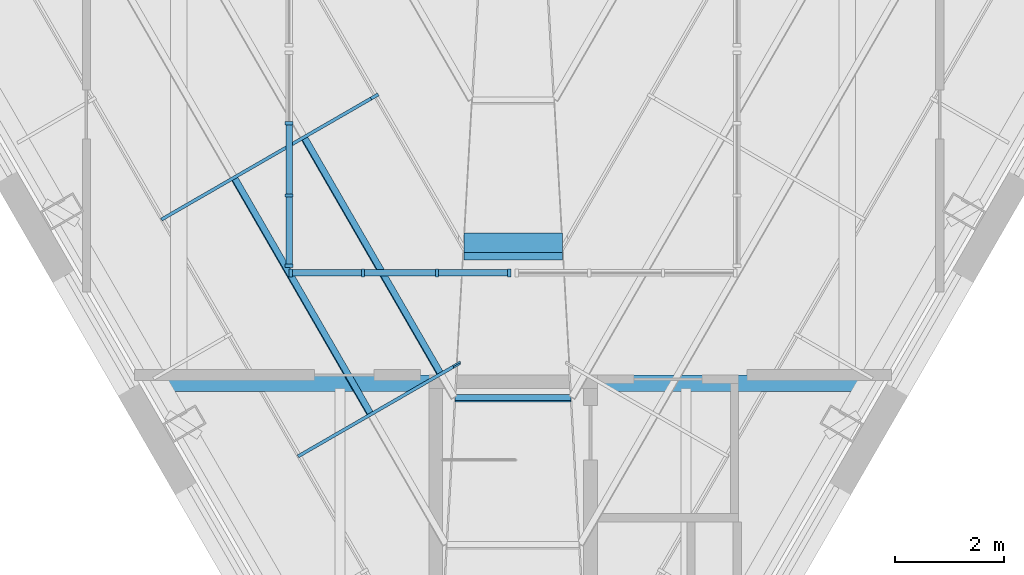
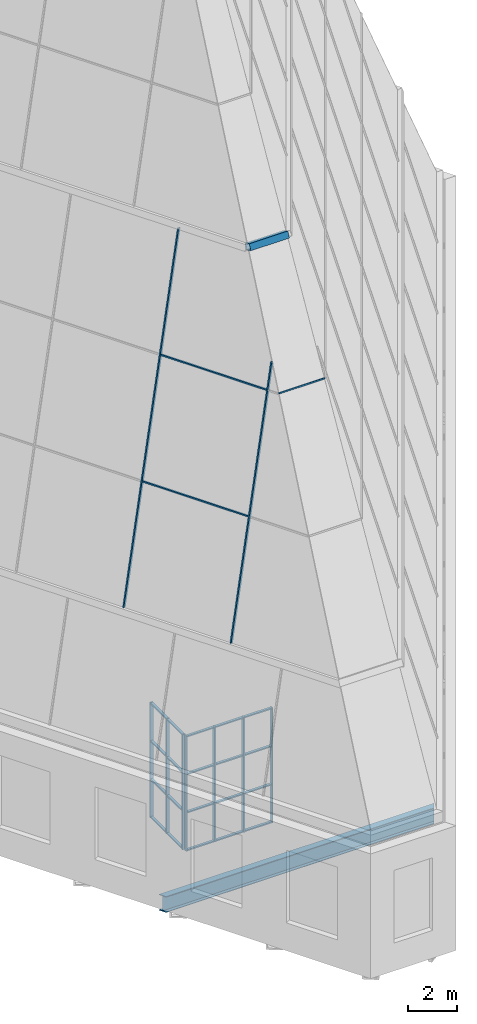
# One storey, part 3 of 36: 33 members, 1 beam, 4 elements without a shape of their own.
"""IFC4 building model written with IfcOpenShell, lengths in metres."""

from ifc_helpers import new_model, si_unit, direction, frame, origin, origin_2d, place, context, subcontext, project, spatial, rectangle, hollow_rectangle, i_section, extrude, clip, halfspace, material, layer, layer_set, material_profile, profile_set, type_object, element, aggregate, save


model = new_model("IFC4")

# Units and contexts
model_context = context("Model", 3, precision=1e-05, world=origin(), true_north=direction((0.0, 1.0)))
body_context = subcontext(model_context, "Body", "Model", "MODEL_VIEW")
ifc_project = project(units=[si_unit("LENGTHUNIT", "METRE"), si_unit("AREAUNIT", "SQUARE_METRE"), si_unit("VOLUMEUNIT", "CUBIC_METRE"), si_unit("PLANEANGLEUNIT", "RADIAN"), si_unit("MASSUNIT", "GRAM", prefix="KILO")], contexts=[model_context])

# Site, building, storey
site_placement = place(None, origin())
site = spatial("IfcSite", under=ifc_project, at=site_placement, CompositionType="ELEMENT")
building_placement = place(site_placement, origin())
building = spatial("IfcBuilding", under=site, at=building_placement, Name="Njiva Tower", CompositionType="ELEMENT")
storey_placement = place(building_placement, frame((0.0, 0.0, 337.8)))
storey = spatial("IfcBuildingStorey", under=building, at=storey_placement, Name="L77", CompositionType="ELEMENT", Elevation=337.8)

# Beam
ifc_material_1 = material(Name="Steel S355 J2", Category="steel")
ifc_material_profile_1 = material_profile(ifc_material_1, i_section(OverallWidth=0.3, OverallDepth=0.79, WebThickness=0.015, FlangeThickness=0.028, at=origin_2d()), Name="HEA 800")
ifc_profile_set_1 = profile_set([ifc_material_profile_1], Name="Steel S355 J2")
beam_type = type_object("IfcBeamType", Name="B9 Long-span atrium trimmer beam HEA 800", PredefinedType="BEAM", material=ifc_profile_set_1)
beam_placement = place(storey_placement, frame((-6.467, -13.75, -0.595), z_axis=(1.0, 0.0, 0.0), x_axis=(0.0, 1.0, 0.0)))
element("IfcBeam", 1, at=beam_placement, inside=storey, type_object=beam_type, Name="Long-span atrium trimmer beam CR-B050", PredefinedType="BEAM", context=body_context, shape_type="Clipping", body=[
    clip(clip(extrude(i_section(OverallWidth=0.3, OverallDepth=0.79, WebThickness=0.015, FlangeThickness=0.028, at=origin_2d()), origin(), (0.0, 0.0, 1.0), 12.934), halfspace(frame((-0.025, 0.0, 0.1217), z_axis=(-0.499998009787, 0.0, -0.866026552831), x_axis=(0.0, -1.0, 0.0)), False)), halfspace(frame((-0.025, 0.0, 12.8123), z_axis=(-0.499998009787, 0.0, 0.866026552831), x_axis=(0.0, 1.0, 0.0)), False)),
])

# Curtain wall, members
ifc_material_2 = material(Name="Glazed curtain wall", Category="glass")
ifc_layer_1 = layer(ifc_material_2, 0.16)
ifc_layer_set_1 = layer_set([ifc_layer_1], Name="Glazed curtain wall")
curtain_wall_type_1 = type_object("IfcCurtainWallType", Name="CW2 Crown glazing, faceted point, long faces", PredefinedType="NOTDEFINED", material=ifc_layer_set_1)
curtain_wall_1_placement = place(storey_placement, origin())
curtain_wall_1 = element("IfcCurtainWall", 2, at=curtain_wall_1_placement, inside=storey, type_object=curtain_wall_type_1, Name="Crown glazing face SW tier 2", PredefinedType="NOTDEFINED")
ifc_material_3 = material(Name="Aluminium mullion", Category="aluminium")
ifc_material_profile_2 = material_profile(ifc_material_3, rectangle(XDim=0.16, YDim=0.06, at=origin_2d()), Name="RECT 160x60")
ifc_profile_set_2 = profile_set([ifc_material_profile_2], Name="Aluminium mullion")
member_type_1 = type_object("IfcMemberType", Name="CW2-M Crown glazing mullion 160x60", PredefinedType="MULLION", material=ifc_profile_set_2)
member_1_placement = place(storey_placement, frame((-6.4025, -10.7001, 12.2446), z_axis=(0.230733296083, 0.133215917854, 0.963854587222), x_axis=(-0.834719445041, -0.481932685527, 0.26642885484)))
member_1 = element("IfcMember", 3, at=member_1_placement, type_object=member_type_1, Name="CW2-32 mullion 6", PredefinedType="MULLION", context=body_context, shape_type="Clipping", body=[
    clip(clip(extrude(rectangle(XDim=0.16, YDim=0.06, at=origin_2d()), origin(), (0.0, 0.0, 1.0), 16.715), halfspace(frame((0.08, 0.0, 0.0), z_axis=(-3.85188e-07, -1.720788e-06, -0.999999999998), x_axis=(0.0, -0.999999999999, 1.720788e-06)), False)), halfspace(frame((0.08, 0.0, 16.715), z_axis=(3.85188e-07, 1.720788e-06, 0.999999999998), x_axis=(0.0, 0.999999999999, -1.720788e-06)), False)),
])
member_2_placement = place(storey_placement, frame((-3.8877, -15.0558, 12.2446), z_axis=(0.230734655493, 0.133217374048, 0.963854060533), x_axis=(-0.834717937281, -0.481934243634, 0.266430760225)))
member_2 = element("IfcMember", 4, at=member_2_placement, type_object=member_type_1, Name="CW2-32 mullion 7", PredefinedType="MULLION", context=body_context, shape_type="Clipping", body=[
    clip(clip(extrude(rectangle(XDim=0.16, YDim=0.06, at=origin_2d()), origin(), (0.0, 0.0, 1.0), 12.3865), halfspace(frame((0.08, 0.0, 0.0), z_axis=(-2.362031e-06, -2.302167e-06, -0.999999999995), x_axis=(0.0, -0.999999999997, 2.302167e-06)), False)), halfspace(frame((0.08, 0.0, 12.3865), z_axis=(8.605755e-06, 0.926533268814, 0.376212840966), x_axis=(0.0, 0.37621284098, -0.926533268848)), False)),
])
ifc_material_4 = material(Name="Aluminium transom", Category="aluminium")
ifc_material_profile_3 = material_profile(ifc_material_4, rectangle(XDim=0.12, YDim=0.06, at=origin_2d()), Name="RECT 120x60")
ifc_profile_set_3 = profile_set([ifc_material_profile_3], Name="Aluminium transom")
member_type_2 = type_object("IfcMemberType", Name="CW2-T Crown glazing transom 120x60", PredefinedType="USERDEFINED", material=ifc_profile_set_3)
member_3_placement = place(storey_placement, frame((-5.1186, -9.9935, 17.6202), z_axis=(0.500008699995, -0.866020380782, 0.0), x_axis=(-0.834717805426, -0.4819357304, 0.266428483965)))
member_3 = element("IfcMember", 5, at=member_3_placement, type_object=member_type_2, Name="CW2-32 transom 7.1", ObjectType="TRANSOM", PredefinedType="USERDEFINED", context=body_context, shape_type="SweptSolid", body=[
    extrude(rectangle(XDim=0.12, YDim=0.06, at=origin_2d()), origin(), (0.0, 0.0, 1.0), 4.9695),
])
member_4_placement = place(storey_placement, frame((-3.833, -9.2513, 22.9905), z_axis=(0.499993607921, -0.866029094221, 0.0), x_axis=(-0.834726203916, -0.481921183835, 0.266428483965)))
member_4 = element("IfcMember", 6, at=member_4_placement, type_object=member_type_2, Name="CW2-32 transom 7.2", ObjectType="TRANSOM", PredefinedType="USERDEFINED", context=body_context, shape_type="SweptSolid", body=[
    extrude(rectangle(XDim=0.12, YDim=0.06, at=origin_2d()), origin(), (0.0, 0.0, 1.0), 4.9695),
])
aggregate(curtain_wall_1, [member_1, member_2, member_3, member_4])

ifc_layer_2 = layer(ifc_material_2, 0.16)
ifc_layer_set_2 = layer_set([ifc_layer_2], Name="Glazed curtain wall")
curtain_wall_type_2 = type_object("IfcCurtainWallType", Name="CW3 Crown glazing, faceted point, corner faces", PredefinedType="NOTDEFINED", material=ifc_layer_set_2)
curtain_wall_2_placement = place(storey_placement, origin())
curtain_wall_2 = element("IfcCurtainWall", 7, at=curtain_wall_2_placement, inside=storey, type_object=curtain_wall_type_2, Name="Crown glazing face S tier 2", PredefinedType="NOTDEFINED")
ifc_material_5 = material(Name="Steel S355 J2H", Category="steel")
ifc_material_profile_4 = material_profile(ifc_material_5, hollow_rectangle(XDim=0.3, YDim=0.4, WallThickness=0.016, at=origin_2d()), Name="BOX 400x300x16")
ifc_profile_set_4 = profile_set([ifc_material_profile_4], Name="Steel S355 J2H")
member_type_3 = type_object("IfcMemberType", Name="CW3-R Crown corner glazing ring RHS 400x300x16", PredefinedType="USERDEFINED", material=ifc_profile_set_4)
member_5_placement = place(storey_placement, frame((-0.9056, -11.2343, 28.5), z_axis=(1.0, 0.0, 0.0), x_axis=(0.0, 0.449387179101, 0.893337093856)))
member_5 = element("IfcMember", 8, at=member_5_placement, type_object=member_type_3, Name="Crown glazing ring", ObjectType="RING", PredefinedType="USERDEFINED", context=body_context, shape_type="SweptSolid", body=[
    extrude(hollow_rectangle(XDim=0.3, YDim=0.4, WallThickness=0.016, at=origin_2d()), origin(), (0.0, 0.0, 1.0), 1.8112),
])
ifc_material_profile_5 = material_profile(ifc_material_4, rectangle(XDim=0.12, YDim=0.06, at=origin_2d()), Name="RECT 120x60")
ifc_profile_set_5 = profile_set([ifc_material_profile_5], Name="Aluminium transom")
member_type_4 = type_object("IfcMemberType", Name="CW3-T Crown corner glazing transom 120x60", PredefinedType="USERDEFINED", material=ifc_profile_set_5)
member_6_placement = place(storey_placement, frame((-1.0641, -14.0246, 22.9977), z_axis=(1.0, 0.0, 0.0), x_axis=(0.0, -0.893337093848, 0.449387179117)))
member_6 = element("IfcMember", 9, at=member_6_placement, type_object=member_type_4, Name="CW3-42 transom 1.2", ObjectType="TRANSOM", PredefinedType="USERDEFINED", context=body_context, shape_type="Clipping", body=[
    clip(clip(extrude(rectangle(XDim=0.12, YDim=0.06, at=origin_2d()), origin(), (0.0, 0.0, 1.0), 2.1282), halfspace(frame((0.06, 0.0001, 0.0), z_axis=(5.16e-10, -0.025674887923, -0.999670345729), x_axis=(0.0, -0.999670345729, 0.025674887923)), False)), halfspace(frame((0.06, 0.0001, 2.1282), z_axis=(5.16e-10, -0.025674887923, 0.999670345729), x_axis=(0.0, 0.999670345729, 0.025674887923)), False)),
])
aggregate(curtain_wall_2, [member_6, member_5])

ifc_layer_3 = layer(ifc_material_2, 0.2)
ifc_layer_set_3 = layer_set([ifc_layer_3], Name="Glazed curtain wall")
curtain_wall_type_3 = type_object("IfcCurtainWallType", Name="CW5 Atrium lantern glazing", PredefinedType="NOTDEFINED", material=ifc_layer_set_3)
curtain_wall_3_placement = place(storey_placement, origin())
curtain_wall_3 = element("IfcCurtainWall", 10, at=curtain_wall_3_placement, inside=storey, type_object=curtain_wall_type_3, Name="Atrium lantern south 1", PredefinedType="NOTDEFINED")
ifc_material_profile_6 = material_profile(ifc_material_3, rectangle(XDim=0.15, YDim=0.06, at=origin_2d()), Name="RECT 150x60")
ifc_profile_set_6 = profile_set([ifc_material_profile_6], Name="Aluminium mullion")
member_type_5 = type_object("IfcMemberType", Name="CW5-M Lantern mullion 150x60", PredefinedType="MULLION", material=ifc_profile_set_6)
member_7_placement = place(storey_placement, frame((-4.09, -11.72, 0.0), z_axis=(0.0, 0.0, 1.0), x_axis=(0.0, 1.0, 0.0)))
member_7 = element("IfcMember", 11, at=member_7_placement, type_object=member_type_5, Name="CW5-1 mullion 1", PredefinedType="MULLION", context=body_context, shape_type="SweptSolid", body=[
    extrude(rectangle(XDim=0.15, YDim=0.06, at=origin_2d()), origin(), (0.0, 0.0, 1.0), 5.7),
])
member_8_placement = place(storey_placement, frame((-2.76, -11.72, 0.0), z_axis=(0.0, 0.0, 1.0), x_axis=(0.0, 1.0, 0.0)))
member_8 = element("IfcMember", 12, at=member_8_placement, type_object=member_type_5, Name="CW5-1 mullion 2", PredefinedType="MULLION", context=body_context, shape_type="SweptSolid", body=[
    extrude(rectangle(XDim=0.15, YDim=0.06, at=origin_2d()), origin(), (0.0, 0.0, 1.0), 5.7),
])
member_9_placement = place(storey_placement, frame((-1.4, -11.72, 0.0), z_axis=(0.0, 0.0, 1.0), x_axis=(0.0, 1.0, 0.0)))
member_9 = element("IfcMember", 13, at=member_9_placement, type_object=member_type_5, Name="CW5-1 mullion 3", PredefinedType="MULLION", context=body_context, shape_type="SweptSolid", body=[
    extrude(rectangle(XDim=0.15, YDim=0.06, at=origin_2d()), origin(), (0.0, 0.0, 1.0), 5.7),
])
member_10_placement = place(storey_placement, frame((-0.07, -11.72, 0.0), z_axis=(0.0, 0.0, 1.0), x_axis=(0.0, 1.0, 0.0)))
member_10 = element("IfcMember", 14, at=member_10_placement, type_object=member_type_5, Name="CW5-1 mullion 4", PredefinedType="MULLION", context=body_context, shape_type="SweptSolid", body=[
    extrude(rectangle(XDim=0.15, YDim=0.06, at=origin_2d()), origin(), (0.0, 0.0, 1.0), 5.7),
])

curtain_wall_4_placement = place(storey_placement, origin())
curtain_wall_4 = element("IfcCurtainWall", 15, at=curtain_wall_4_placement, inside=storey, type_object=curtain_wall_type_3, Name="Atrium lantern west 1", PredefinedType="NOTDEFINED")
member_11_placement = place(storey_placement, frame((-4.12, -11.59, 0.0), z_axis=(0.0, 0.0, 1.0), x_axis=(-1.0, 0.0, 0.0)))
member_11 = element("IfcMember", 16, at=member_11_placement, type_object=member_type_5, Name="CW5-5 mullion 1", PredefinedType="MULLION", context=body_context, shape_type="SweptSolid", body=[
    extrude(rectangle(XDim=0.15, YDim=0.06, at=origin_2d()), origin(), (0.0, 0.0, 1.0), 5.7),
])
member_12_placement = place(storey_placement, frame((-4.12, -10.2933, 0.0), z_axis=(0.0, 0.0, 1.0), x_axis=(-1.0, 0.0, 0.0)))
member_12 = element("IfcMember", 17, at=member_12_placement, type_object=member_type_5, Name="CW5-5 mullion 2", PredefinedType="MULLION", context=body_context, shape_type="SweptSolid", body=[
    extrude(rectangle(XDim=0.15, YDim=0.06, at=origin_2d()), origin(), (0.0, 0.0, 1.0), 5.7),
])
member_13_placement = place(storey_placement, frame((-4.12, -8.9667, 0.0), z_axis=(0.0, 0.0, 1.0), x_axis=(-1.0, 0.0, 0.0)))
member_13 = element("IfcMember", 18, at=member_13_placement, type_object=member_type_5, Name="CW5-5 mullion 3", PredefinedType="MULLION", context=body_context, shape_type="SweptSolid", body=[
    extrude(rectangle(XDim=0.15, YDim=0.06, at=origin_2d()), origin(), (0.0, 0.0, 1.0), 5.7),
])

# Member
ifc_material_profile_7 = material_profile(ifc_material_4, rectangle(XDim=0.12, YDim=0.06, at=origin_2d()), Name="RECT 120x60")
ifc_profile_set_7 = profile_set([ifc_material_profile_7], Name="Aluminium transom")
member_type_6 = type_object("IfcMemberType", Name="CW5-T Lantern transom 120x60", PredefinedType="USERDEFINED", material=ifc_profile_set_7)
member_14_placement = place(storey_placement, frame((-4.06, -11.72, 0.03), z_axis=(1.0, 0.0, 0.0), x_axis=(0.0, 1.0, 0.0)))
member_14 = element("IfcMember", 19, at=member_14_placement, type_object=member_type_6, Name="CW5-1 transom 1.1", ObjectType="TRANSOM", PredefinedType="USERDEFINED", context=body_context, shape_type="SweptSolid", body=[
    extrude(rectangle(XDim=0.12, YDim=0.06, at=origin_2d()), origin(), (0.0, 0.0, 1.0), 1.27),
])

member_15_placement = place(storey_placement, frame((-4.06, -11.72, 1.9), z_axis=(1.0, 0.0, 0.0), x_axis=(0.0, 1.0, 0.0)))
member_15 = element("IfcMember", 20, at=member_15_placement, type_object=member_type_6, Name="CW5-1 transom 1.2", ObjectType="TRANSOM", PredefinedType="USERDEFINED", context=body_context, shape_type="SweptSolid", body=[
    extrude(rectangle(XDim=0.12, YDim=0.06, at=origin_2d()), origin(), (0.0, 0.0, 1.0), 1.27),
])

member_16_placement = place(storey_placement, frame((-4.06, -11.72, 3.8), z_axis=(1.0, 0.0, 0.0), x_axis=(0.0, 1.0, 0.0)))
member_16 = element("IfcMember", 21, at=member_16_placement, type_object=member_type_6, Name="CW5-1 transom 1.3", ObjectType="TRANSOM", PredefinedType="USERDEFINED", context=body_context, shape_type="SweptSolid", body=[
    extrude(rectangle(XDim=0.12, YDim=0.06, at=origin_2d()), origin(), (0.0, 0.0, 1.0), 1.27),
])

member_17_placement = place(storey_placement, frame((-4.06, -11.72, 5.67), z_axis=(1.0, 0.0, 0.0), x_axis=(0.0, 1.0, 0.0)))
member_17 = element("IfcMember", 22, at=member_17_placement, type_object=member_type_6, Name="CW5-1 transom 1.4", ObjectType="TRANSOM", PredefinedType="USERDEFINED", context=body_context, shape_type="SweptSolid", body=[
    extrude(rectangle(XDim=0.12, YDim=0.06, at=origin_2d()), origin(), (0.0, 0.0, 1.0), 1.27),
])

member_18_placement = place(storey_placement, frame((-2.73, -11.72, 0.03), z_axis=(1.0, 0.0, 0.0), x_axis=(0.0, 1.0, 0.0)))
member_18 = element("IfcMember", 23, at=member_18_placement, type_object=member_type_6, Name="CW5-1 transom 2.1", ObjectType="TRANSOM", PredefinedType="USERDEFINED", context=body_context, shape_type="SweptSolid", body=[
    extrude(rectangle(XDim=0.12, YDim=0.06, at=origin_2d()), origin(), (0.0, 0.0, 1.0), 1.3),
])

member_19_placement = place(storey_placement, frame((-2.73, -11.72, 1.9), z_axis=(1.0, 0.0, 0.0), x_axis=(0.0, 1.0, 0.0)))
member_19 = element("IfcMember", 24, at=member_19_placement, type_object=member_type_6, Name="CW5-1 transom 2.2", ObjectType="TRANSOM", PredefinedType="USERDEFINED", context=body_context, shape_type="SweptSolid", body=[
    extrude(rectangle(XDim=0.12, YDim=0.06, at=origin_2d()), origin(), (0.0, 0.0, 1.0), 1.3),
])

member_20_placement = place(storey_placement, frame((-2.73, -11.72, 3.8), z_axis=(1.0, 0.0, 0.0), x_axis=(0.0, 1.0, 0.0)))
member_20 = element("IfcMember", 25, at=member_20_placement, type_object=member_type_6, Name="CW5-1 transom 2.3", ObjectType="TRANSOM", PredefinedType="USERDEFINED", context=body_context, shape_type="SweptSolid", body=[
    extrude(rectangle(XDim=0.12, YDim=0.06, at=origin_2d()), origin(), (0.0, 0.0, 1.0), 1.3),
])

member_21_placement = place(storey_placement, frame((-2.73, -11.72, 5.67), z_axis=(1.0, 0.0, 0.0), x_axis=(0.0, 1.0, 0.0)))
member_21 = element("IfcMember", 26, at=member_21_placement, type_object=member_type_6, Name="CW5-1 transom 2.4", ObjectType="TRANSOM", PredefinedType="USERDEFINED", context=body_context, shape_type="SweptSolid", body=[
    extrude(rectangle(XDim=0.12, YDim=0.06, at=origin_2d()), origin(), (0.0, 0.0, 1.0), 1.3),
])

member_22_placement = place(storey_placement, frame((-1.37, -11.72, 0.03), z_axis=(1.0, 0.0, 0.0), x_axis=(0.0, 1.0, 0.0)))
member_22 = element("IfcMember", 27, at=member_22_placement, type_object=member_type_6, Name="CW5-1 transom 3.1", ObjectType="TRANSOM", PredefinedType="USERDEFINED", context=body_context, shape_type="SweptSolid", body=[
    extrude(rectangle(XDim=0.12, YDim=0.06, at=origin_2d()), origin(), (0.0, 0.0, 1.0), 1.27),
])

member_23_placement = place(storey_placement, frame((-1.37, -11.72, 1.9), z_axis=(1.0, 0.0, 0.0), x_axis=(0.0, 1.0, 0.0)))
member_23 = element("IfcMember", 28, at=member_23_placement, type_object=member_type_6, Name="CW5-1 transom 3.2", ObjectType="TRANSOM", PredefinedType="USERDEFINED", context=body_context, shape_type="SweptSolid", body=[
    extrude(rectangle(XDim=0.12, YDim=0.06, at=origin_2d()), origin(), (0.0, 0.0, 1.0), 1.27),
])

member_24_placement = place(storey_placement, frame((-1.37, -11.72, 3.8), z_axis=(1.0, 0.0, 0.0), x_axis=(0.0, 1.0, 0.0)))
member_24 = element("IfcMember", 29, at=member_24_placement, type_object=member_type_6, Name="CW5-1 transom 3.3", ObjectType="TRANSOM", PredefinedType="USERDEFINED", context=body_context, shape_type="SweptSolid", body=[
    extrude(rectangle(XDim=0.12, YDim=0.06, at=origin_2d()), origin(), (0.0, 0.0, 1.0), 1.27),
])

member_25_placement = place(storey_placement, frame((-1.37, -11.72, 5.67), z_axis=(1.0, 0.0, 0.0), x_axis=(0.0, 1.0, 0.0)))
member_25 = element("IfcMember", 30, at=member_25_placement, type_object=member_type_6, Name="CW5-1 transom 3.4", ObjectType="TRANSOM", PredefinedType="USERDEFINED", context=body_context, shape_type="SweptSolid", body=[
    extrude(rectangle(XDim=0.12, YDim=0.06, at=origin_2d()), origin(), (0.0, 0.0, 1.0), 1.27),
])

aggregate(curtain_wall_3, [member_7, member_8, member_9, member_10, member_14, member_15, member_16, member_17, member_18, member_19, member_20, member_21, member_22, member_23, member_24, member_25])

member_26_placement = place(storey_placement, frame((-4.12, -11.56, 0.03), z_axis=(0.0, 1.0, 0.0), x_axis=(-1.0, 0.0, 0.0)))
member_26 = element("IfcMember", 31, at=member_26_placement, type_object=member_type_6, Name="CW5-5 transom 1.1", ObjectType="TRANSOM", PredefinedType="USERDEFINED", context=body_context, shape_type="SweptSolid", body=[
    extrude(rectangle(XDim=0.12, YDim=0.06, at=origin_2d()), origin(), (0.0, 0.0, 1.0), 1.2367),
])

member_27_placement = place(storey_placement, frame((-4.12, -11.56, 1.9), z_axis=(0.0, 1.0, 0.0), x_axis=(-1.0, 0.0, 0.0)))
member_27 = element("IfcMember", 32, at=member_27_placement, type_object=member_type_6, Name="CW5-5 transom 1.2", ObjectType="TRANSOM", PredefinedType="USERDEFINED", context=body_context, shape_type="SweptSolid", body=[
    extrude(rectangle(XDim=0.12, YDim=0.06, at=origin_2d()), origin(), (0.0, 0.0, 1.0), 1.2367),
])

member_28_placement = place(storey_placement, frame((-4.12, -11.56, 3.8), z_axis=(0.0, 1.0, 0.0), x_axis=(-1.0, 0.0, 0.0)))
member_28 = element("IfcMember", 33, at=member_28_placement, type_object=member_type_6, Name="CW5-5 transom 1.3", ObjectType="TRANSOM", PredefinedType="USERDEFINED", context=body_context, shape_type="SweptSolid", body=[
    extrude(rectangle(XDim=0.12, YDim=0.06, at=origin_2d()), origin(), (0.0, 0.0, 1.0), 1.2367),
])

member_29_placement = place(storey_placement, frame((-4.12, -11.56, 5.67), z_axis=(0.0, 1.0, 0.0), x_axis=(-1.0, 0.0, 0.0)))
member_29 = element("IfcMember", 34, at=member_29_placement, type_object=member_type_6, Name="CW5-5 transom 1.4", ObjectType="TRANSOM", PredefinedType="USERDEFINED", context=body_context, shape_type="SweptSolid", body=[
    extrude(rectangle(XDim=0.12, YDim=0.06, at=origin_2d()), origin(), (0.0, 0.0, 1.0), 1.2367),
])

member_30_placement = place(storey_placement, frame((-4.12, -10.2633, 0.03), z_axis=(0.0, 1.0, 0.0), x_axis=(-1.0, 0.0, 0.0)))
member_30 = element("IfcMember", 35, at=member_30_placement, type_object=member_type_6, Name="CW5-5 transom 2.1", ObjectType="TRANSOM", PredefinedType="USERDEFINED", context=body_context, shape_type="SweptSolid", body=[
    extrude(rectangle(XDim=0.12, YDim=0.06, at=origin_2d()), origin(), (0.0, 0.0, 1.0), 1.2666),
])

member_31_placement = place(storey_placement, frame((-4.12, -10.2633, 1.9), z_axis=(0.0, 1.0, 0.0), x_axis=(-1.0, 0.0, 0.0)))
member_31 = element("IfcMember", 36, at=member_31_placement, type_object=member_type_6, Name="CW5-5 transom 2.2", ObjectType="TRANSOM", PredefinedType="USERDEFINED", context=body_context, shape_type="SweptSolid", body=[
    extrude(rectangle(XDim=0.12, YDim=0.06, at=origin_2d()), origin(), (0.0, 0.0, 1.0), 1.2666),
])

member_32_placement = place(storey_placement, frame((-4.12, -10.2633, 3.8), z_axis=(0.0, 1.0, 0.0), x_axis=(-1.0, 0.0, 0.0)))
member_32 = element("IfcMember", 37, at=member_32_placement, type_object=member_type_6, Name="CW5-5 transom 2.3", ObjectType="TRANSOM", PredefinedType="USERDEFINED", context=body_context, shape_type="SweptSolid", body=[
    extrude(rectangle(XDim=0.12, YDim=0.06, at=origin_2d()), origin(), (0.0, 0.0, 1.0), 1.2666),
])

member_33_placement = place(storey_placement, frame((-4.12, -10.2633, 5.67), z_axis=(0.0, 1.0, 0.0), x_axis=(-1.0, 0.0, 0.0)))
member_33 = element("IfcMember", 38, at=member_33_placement, type_object=member_type_6, Name="CW5-5 transom 2.4", ObjectType="TRANSOM", PredefinedType="USERDEFINED", context=body_context, shape_type="SweptSolid", body=[
    extrude(rectangle(XDim=0.12, YDim=0.06, at=origin_2d()), origin(), (0.0, 0.0, 1.0), 1.2666),
])

aggregate(curtain_wall_4, [member_11, member_12, member_13, member_26, member_27, member_28, member_29, member_30, member_31, member_32, member_33])

save(model, "model.ifc")
